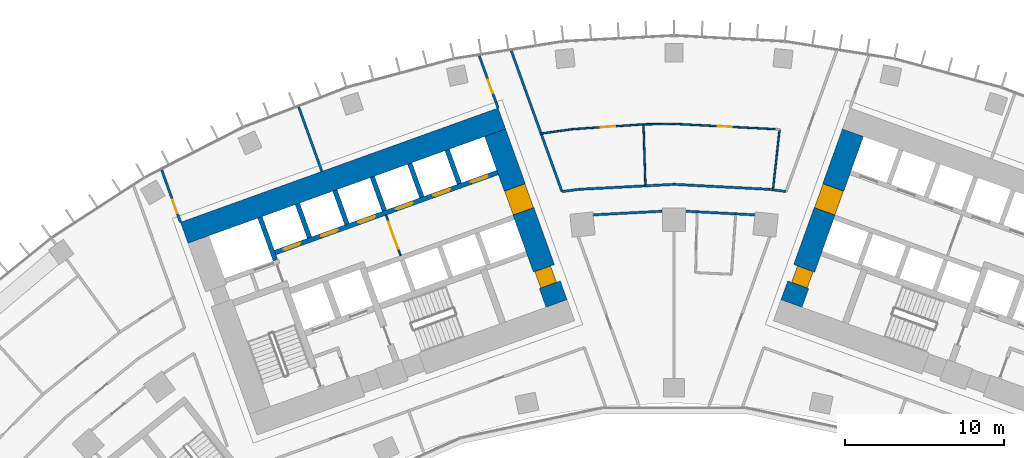
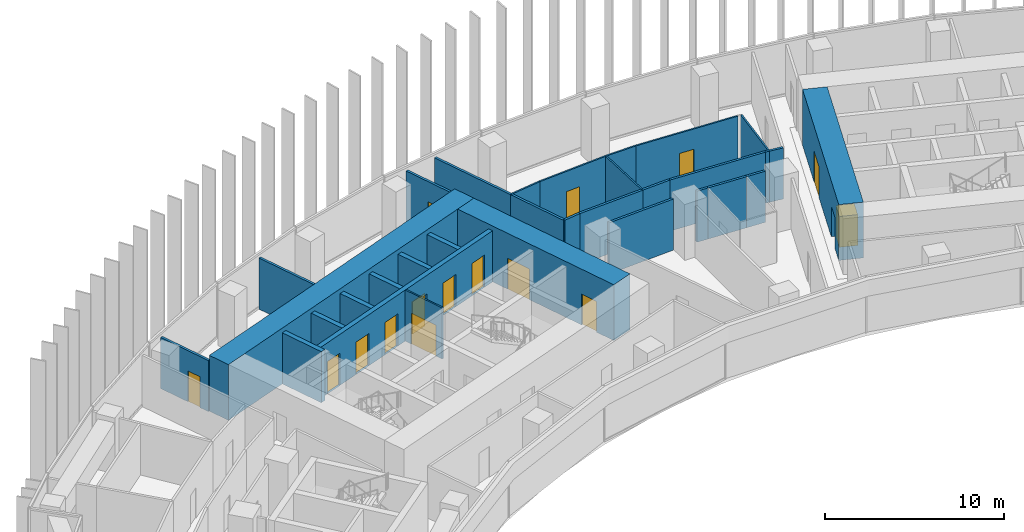
# One storey, part 18 of 23: 32 walls, 15 doors, 15 openings.
"""IFC4 building model written with IfcOpenShell, lengths in metres."""

from ifc_helpers import new_model, si_unit, direction, frame, frame_2d, origin, place, context, subcontext, project, spatial, rectangle, extrude, material, layer, layer_set, type_object, element, fill, save


model = new_model("IFC4")

# Units and contexts
model_context = context("Model", 3, precision=1e-05, world=origin(), true_north=direction((0.0, 1.0)))
body_context = subcontext(model_context, "Body", "Model", "MODEL_VIEW")
ifc_project = project(units=[si_unit("LENGTHUNIT", "METRE"), si_unit("AREAUNIT", "SQUARE_METRE"), si_unit("VOLUMEUNIT", "CUBIC_METRE"), si_unit("PLANEANGLEUNIT", "RADIAN"), si_unit("MASSUNIT", "GRAM", prefix="KILO")], contexts=[model_context])

# Site, building, storey
site_placement = place(None, origin())
site = spatial("IfcSite", under=ifc_project, at=site_placement, CompositionType="ELEMENT")
building_placement = place(site_placement, origin())
building = spatial("IfcBuilding", under=site, at=building_placement, Name="Stone Belt Terrace Tower", CompositionType="ELEMENT")
storey_placement = place(building_placement, frame((0.0, 0.0, 98.39990234375)))
storey = spatial("IfcBuildingStorey", under=building, at=storey_placement, Name="L23", CompositionType="ELEMENT", Elevation=98.39990234375)

# Wall, opening, door
ifc_material_1 = material(Name="Plasterboard partition")
ifc_layer_1 = layer(ifc_material_1, 0.10009765625)
ifc_layer_set_1 = layer_set([ifc_layer_1], Name="Core partition 100")
wall_type_1 = type_object("IfcWallType", Name="Core partition 100", PredefinedType="PARTITIONING", material=ifc_layer_set_1)
wall_1_placement = place(storey_placement, frame((-17.17724609375, 52.749755859375, 0.0), z_axis=(0.0, 0.0, 1.0), x_axis=(-0.338546555931, 0.940949642365, 0.0)))
wall_1 = element("IfcWall", 1, at=wall_1_placement, inside=storey, type_object=wall_type_1, Name="Core A wall", PredefinedType="PARTITIONING", context=body_context, shape_type="SweptSolid", body=[
    extrude(rectangle(XDim=2.699951171875, YDim=0.10009765625, at=frame_2d((1.35009765625, 0.0))), origin(), (0.0, 0.0, 1.0), 3.47998046875),
])
opening_1_placement = place(wall_1_placement, frame((0.449951171875, 0.0, 0.0)))
opening_1 = element("IfcOpeningElement", 2, at=opening_1_placement, cuts=wall_1, Name="Opening L23-C03", PredefinedType="OPENING", context=body_context, shape_type="SweptSolid", body=[
    extrude(rectangle(XDim=1.800048828125, YDim=2.10009765625, at=frame_2d((0.89990234375, 1.050048828125))), frame((0.0, 0.06005859375, 0.0), z_axis=(0.0, -1.0, 0.0), x_axis=(1.0, 0.0, 0.0)), (0.0, 0.0, 1.0), 0.1201171875),
])
ifc_material_2 = material(Name="Glazed aluminium door leaf", Category="aluminium")
door_type_1 = type_object("IfcDoorType", Name="Lift lobby entrance door 1800", OperationType="DOUBLE_DOOR_SINGLE_SWING", PredefinedType="DOOR", material=ifc_material_2)
door_1_placement = place(opening_1_placement, origin())
door_1 = element("IfcDoor", 3, at=door_1_placement, inside=storey, type_object=door_type_1, Name="Lift lobby double door core A", OperationType="DOUBLE_DOOR_SINGLE_SWING", OverallHeight=2.10009765625, OverallWidth=1.800048828125, PredefinedType="DOOR", context=body_context, shape_type="SweptSolid", body=[
    extrude(rectangle(XDim=1.800048828125, YDim=2.10009765625, at=frame_2d((0.89990234375, 1.050048828125))), frame((0.0, 0.02490234375, 0.0), z_axis=(0.0, -1.0, 0.0), x_axis=(1.0, 0.0, 0.0)), (0.0, 0.0, 1.0), 0.050048828125),
])
fill(opening_1, door_1)

# Wall
ifc_material_3 = material(Name="Concrete B80", Category="concrete")
ifc_layer_2 = layer(ifc_material_3, 1.39990234375)
ifc_layer_set_2 = layer_set([ifc_layer_2], Name="Core wall 1400 B80")
wall_type_2 = type_object("IfcWallType", Name="Core wall 1400 B80", PredefinedType="SHEAR", material=ifc_layer_set_2)
wall_2_placement = place(storey_placement, frame((-30.765380859375, 54.18310546875, 0.0), z_axis=(0.0, 0.0, 1.0), x_axis=(0.940919704758, 0.338629752382, 0.0)))
element("IfcWall", 4, at=wall_2_placement, inside=storey, type_object=wall_type_2, Name="Core A wall convex L23", PredefinedType="SHEAR", context=body_context, shape_type="SweptSolid", body=[
    extrude(rectangle(XDim=21.199951171875, YDim=1.39990234375, at=frame_2d((10.60009765625, 0.0))), origin(), (0.0, 0.0, 1.0), 3.800048828125),
])

# Wall, openings, doors
wall_3_placement = place(storey_placement, frame((-7.379150390625, 49.73974609375, 0.0), z_axis=(0.0, 0.0, 1.0), x_axis=(-0.338625431531, 0.940921259788, 0.0)))
wall_3 = element("IfcWall", 5, at=wall_3_placement, inside=storey, type_object=wall_type_2, Name="Core A wall end_b L23", PredefinedType="SHEAR", context=body_context, shape_type="SweptSolid", body=[
    extrude(rectangle(XDim=11.400146484375, YDim=1.39990234375, at=frame_2d((5.7001953125, 0.0))), origin(), (0.0, 0.0, 1.0), 3.800048828125),
])
opening_2_placement = place(wall_3_placement, frame((6.14990234375, 0.0, 0.0)))
opening_2 = element("IfcOpeningElement", 6, at=opening_2_placement, cuts=wall_3, Name="Opening L23-C04", PredefinedType="OPENING", context=body_context, shape_type="SweptSolid", body=[
    extrude(rectangle(XDim=1.60009765625, YDim=2.10009765625, at=frame_2d((0.800048828125, 1.050048828125))), frame((0.0, 0.7099609375, 0.0), z_axis=(0.0, -1.0, 0.0), x_axis=(1.0, 0.0, 0.0)), (0.0, 0.0, 1.0), 1.419921875),
])
opening_3_placement = place(wall_3_placement, frame((1.25, 0.0, 0.0)))
opening_3 = element("IfcOpeningElement", 7, at=opening_3_placement, cuts=wall_3, Name="Opening L23-C10", PredefinedType="OPENING", context=body_context, shape_type="SweptSolid", body=[
    extrude(rectangle(XDim=1.10009765625, YDim=2.10009765625, at=frame_2d((0.550048828125, 1.050048828125))), frame((0.0, 0.7099609375, 0.0), z_axis=(0.0, -1.0, 0.0), x_axis=(1.0, 0.0, 0.0)), (0.0, 0.0, 1.0), 1.419921875),
])
ifc_material_4 = material(Name="Timber door leaf", Category="wood")
door_type_2 = type_object("IfcDoorType", Name="Core room door 1100", OperationType="SINGLE_SWING_LEFT", PredefinedType="DOOR", material=ifc_material_4)
door_2_placement = place(opening_3_placement, origin())
door_2 = element("IfcDoor", 8, at=door_2_placement, inside=storey, type_object=door_type_2, Name="Door to Electrical riser room core A", OperationType="SINGLE_SWING_RIGHT", OverallHeight=2.10009765625, OverallWidth=1.10009765625, PredefinedType="DOOR", context=body_context, shape_type="SweptSolid", body=[
    extrude(rectangle(XDim=1.10009765625, YDim=2.10009765625, at=frame_2d((0.550048828125, 1.050048828125))), frame((0.0, 0.60498046875, 0.0), z_axis=(0.0, -1.0, 0.0), x_axis=(1.0, 0.0, 0.0)), (0.0, 0.0, 1.0), 1.050048828125),
])
fill(opening_3, door_2)
door_type_3 = type_object("IfcDoorType", Name="Lift lobby entrance door 1600", OperationType="DOUBLE_DOOR_SINGLE_SWING", PredefinedType="DOOR", material=ifc_material_2)
door_3_placement = place(opening_2_placement, origin())
door_3 = element("IfcDoor", 9, at=door_3_placement, inside=storey, type_object=door_type_3, Name="Lift lobby entrance door core A", OperationType="DOUBLE_DOOR_SINGLE_SWING", OverallHeight=2.10009765625, OverallWidth=1.60009765625, PredefinedType="DOOR", context=body_context, shape_type="SweptSolid", body=[
    extrude(rectangle(XDim=1.60009765625, YDim=2.10009765625, at=frame_2d((0.800048828125, 1.050048828125))), frame((0.0, 0.68017578125, 0.0), z_axis=(0.0, -1.0, 0.0), x_axis=(1.0, 0.0, 0.0)), (0.0, 0.0, 1.0), 1.360107421875),
])
fill(opening_2, door_3)

wall_4_placement = place(storey_placement, frame((7.379150390625, 49.73974609375, 0.0), z_axis=(0.0, 0.0, 1.0), x_axis=(0.338625431531, 0.940921259788, 0.0)))
wall_4 = element("IfcWall", 10, at=wall_4_placement, inside=storey, type_object=wall_type_2, Name="Core B wall end_a L23", PredefinedType="SHEAR", context=body_context, shape_type="SweptSolid", body=[
    extrude(rectangle(XDim=11.400146484375, YDim=1.39990234375, at=frame_2d((5.7001953125, 0.0))), origin(), (0.0, 0.0, 1.0), 3.800048828125),
])
opening_4_placement = place(wall_4_placement, frame((6.14990234375, 0.0, 0.0)))
opening_4 = element("IfcOpeningElement", 11, at=opening_4_placement, cuts=wall_4, Name="Opening L23-C14", PredefinedType="OPENING", context=body_context, shape_type="SweptSolid", body=[
    extrude(rectangle(XDim=1.60009765625, YDim=2.10009765625, at=frame_2d((0.800048828125, 1.050048828125))), frame((0.0, 0.7099609375, 0.0), z_axis=(0.0, -1.0, 0.0), x_axis=(1.0, 0.0, 0.0)), (0.0, 0.0, 1.0), 1.419921875),
])
opening_5_placement = place(wall_4_placement, frame((1.25, 0.0, 0.0)))
opening_5 = element("IfcOpeningElement", 12, at=opening_5_placement, cuts=wall_4, Name="Opening L23-C20", PredefinedType="OPENING", context=body_context, shape_type="SweptSolid", body=[
    extrude(rectangle(XDim=1.10009765625, YDim=2.10009765625, at=frame_2d((0.550048828125, 1.050048828125))), frame((0.0, 0.7099609375, 0.0), z_axis=(0.0, -1.0, 0.0), x_axis=(1.0, 0.0, 0.0)), (0.0, 0.0, 1.0), 1.419921875),
])
door_4_placement = place(opening_5_placement, origin())
door_4 = element("IfcDoor", 13, at=door_4_placement, inside=storey, type_object=door_type_2, Name="Door to Electrical riser room core B", OperationType="SINGLE_SWING_LEFT", OverallHeight=2.10009765625, OverallWidth=1.10009765625, PredefinedType="DOOR", context=body_context, shape_type="SweptSolid", body=[
    extrude(rectangle(XDim=1.10009765625, YDim=2.10009765625, at=frame_2d((0.550048828125, 1.050048828125))), frame((0.0, 0.44482421875, 0.0), z_axis=(0.0, -1.0, 0.0), x_axis=(1.0, 0.0, 0.0)), (0.0, 0.0, 1.0), 1.050048828125),
])
fill(opening_5, door_4)
door_5_placement = place(opening_4_placement, origin())
door_5 = element("IfcDoor", 14, at=door_5_placement, inside=storey, type_object=door_type_3, Name="Lift lobby entrance door core B", OperationType="DOUBLE_DOOR_SINGLE_SWING", OverallHeight=2.10009765625, OverallWidth=1.60009765625, PredefinedType="DOOR", context=body_context, shape_type="SweptSolid", body=[
    extrude(rectangle(XDim=1.60009765625, YDim=2.10009765625, at=frame_2d((0.800048828125, 1.050048828125))), frame((0.0, 0.68017578125, 0.0), z_axis=(0.0, -1.0, 0.0), x_axis=(1.0, 0.0, 0.0)), (0.0, 0.0, 1.0), 1.360107421875),
])
fill(opening_4, door_5)

# Wall
ifc_layer_3 = layer(ifc_material_3, 0.300048828125)
ifc_layer_set_3 = layer_set([ifc_layer_3], Name="Lift shaft wall 300")
wall_type_3 = type_object("IfcWallType", Name="Lift shaft wall 300", PredefinedType="SHEAR", material=ifc_layer_set_3)
wall_5_placement = place(storey_placement, frame((-25.046875, 52.46826171875, 0.0), z_axis=(0.0, 0.0, 1.0), x_axis=(-0.338549588058, 0.940948551423, 0.0)))
element("IfcWall", 15, at=wall_5_placement, inside=storey, type_object=wall_type_3, Name="Core A wall", PredefinedType="SHEAR", context=body_context, shape_type="SweptSolid", body=[
    extrude(rectangle(XDim=2.849853515625, YDim=0.300048828125, at=frame_2d((1.4248046875, 0.0))), origin(), (0.0, 0.0, 1.0), 3.47998046875),
])

# Wall, openings, doors
wall_6_placement = place(storey_placement, frame((-25.05810546875, 52.9423828125, 0.0), z_axis=(0.0, 0.0, 1.0), x_axis=(0.940918215764, 0.338633889685, 0.0)))
wall_6 = element("IfcWall", 16, at=wall_6_placement, inside=storey, type_object=wall_type_3, Name="Core A wall", PredefinedType="SHEAR", context=body_context, shape_type="SweptSolid", body=[
    extrude(rectangle(XDim=14.850341796875, YDim=0.300048828125, at=frame_2d((7.42529296875, 0.0))), origin(), (0.0, 0.0, 1.0), 3.47998046875),
])
opening_6_placement = place(wall_6_placement, frame((0.570068359375, 0.0, 0.0)))
opening_6 = element("IfcOpeningElement", 17, at=opening_6_placement, cuts=wall_6, Name="Opening L23-LD01", PredefinedType="OPENING", context=body_context, shape_type="SweptSolid", body=[
    extrude(rectangle(XDim=1.10009765625, YDim=2.199951171875, at=frame_2d((0.550048828125, 1.10009765625))), frame((0.0, 0.159912109375, 0.0), z_axis=(0.0, -1.0, 0.0), x_axis=(1.0, 0.0, 0.0)), (0.0, 0.0, 1.0), 0.320068359375),
])
opening_7_placement = place(wall_6_placement, frame((3.070068359375, 0.0, 0.0)))
opening_7 = element("IfcOpeningElement", 18, at=opening_7_placement, cuts=wall_6, Name="Opening L23-LD02", PredefinedType="OPENING", context=body_context, shape_type="SweptSolid", body=[
    extrude(rectangle(XDim=1.10009765625, YDim=2.199951171875, at=frame_2d((0.550048828125, 1.10009765625))), frame((0.0, 0.159912109375, 0.0), z_axis=(0.0, -1.0, 0.0), x_axis=(1.0, 0.0, 0.0)), (0.0, 0.0, 1.0), 0.320068359375),
])
opening_8_placement = place(wall_6_placement, frame((5.570068359375, 0.0, 0.0)))
opening_8 = element("IfcOpeningElement", 19, at=opening_8_placement, cuts=wall_6, Name="Opening L23-LD03", PredefinedType="OPENING", context=body_context, shape_type="SweptSolid", body=[
    extrude(rectangle(XDim=1.10009765625, YDim=2.199951171875, at=frame_2d((0.550048828125, 1.10009765625))), frame((0.0, 0.159912109375, 0.0), z_axis=(0.0, -1.0, 0.0), x_axis=(1.0, 0.0, 0.0)), (0.0, 0.0, 1.0), 0.320068359375),
])
opening_9_placement = place(wall_6_placement, frame((8.070068359375, 0.0, 0.0)))
opening_9 = element("IfcOpeningElement", 20, at=opening_9_placement, cuts=wall_6, Name="Opening L23-LD04", PredefinedType="OPENING", context=body_context, shape_type="SweptSolid", body=[
    extrude(rectangle(XDim=1.10009765625, YDim=2.199951171875, at=frame_2d((0.550048828125, 1.10009765625))), frame((0.0, 0.159912109375, 0.0), z_axis=(0.0, -1.0, 0.0), x_axis=(1.0, 0.0, 0.0)), (0.0, 0.0, 1.0), 0.320068359375),
])
opening_10_placement = place(wall_6_placement, frame((10.570068359375, 0.0, 0.0)))
opening_10 = element("IfcOpeningElement", 21, at=opening_10_placement, cuts=wall_6, Name="Opening L23-LD05", PredefinedType="OPENING", context=body_context, shape_type="SweptSolid", body=[
    extrude(rectangle(XDim=1.10009765625, YDim=2.199951171875, at=frame_2d((0.550048828125, 1.10009765625))), frame((0.0, 0.159912109375, 0.0), z_axis=(0.0, -1.0, 0.0), x_axis=(1.0, 0.0, 0.0)), (0.0, 0.0, 1.0), 0.320068359375),
])
opening_11_placement = place(wall_6_placement, frame((13.070068359375, 0.0, 0.0)))
opening_11 = element("IfcOpeningElement", 22, at=opening_11_placement, cuts=wall_6, Name="Opening L23-LD06", PredefinedType="OPENING", context=body_context, shape_type="SweptSolid", body=[
    extrude(rectangle(XDim=1.10009765625, YDim=2.199951171875, at=frame_2d((0.550048828125, 1.10009765625))), frame((0.0, 0.159912109375, 0.0), z_axis=(0.0, -1.0, 0.0), x_axis=(1.0, 0.0, 0.0)), (0.0, 0.0, 1.0), 0.320068359375),
])
ifc_material_5 = material(Name="Stainless steel door leaf", Category="steel")
door_type_4 = type_object("IfcDoorType", Name="Landing door 1100", OperationType="SLIDING_TO_LEFT", PredefinedType="DOOR", material=ifc_material_5)
door_6_placement = place(opening_6_placement, origin())
door_6 = element("IfcDoor", 23, at=door_6_placement, inside=storey, type_object=door_type_4, Name="Landing door LR1 core A", OperationType="SLIDING_TO_LEFT", OverallHeight=2.199951171875, OverallWidth=1.10009765625, PredefinedType="DOOR", context=body_context, shape_type="SweptSolid", body=[
    extrude(rectangle(XDim=1.10009765625, YDim=2.199951171875, at=frame_2d((0.550048828125, 1.10009765625))), frame((0.0, 0.02490234375, 0.0), z_axis=(0.0, -1.0, 0.0), x_axis=(1.0, 0.0, 0.0)), (0.0, 0.0, 1.0), 0.050048828125),
])
fill(opening_6, door_6)
door_7_placement = place(opening_7_placement, origin())
door_7 = element("IfcDoor", 24, at=door_7_placement, inside=storey, type_object=door_type_4, Name="Landing door LR2 core A", OperationType="SLIDING_TO_LEFT", OverallHeight=2.199951171875, OverallWidth=1.10009765625, PredefinedType="DOOR", context=body_context, shape_type="SweptSolid", body=[
    extrude(rectangle(XDim=1.10009765625, YDim=2.199951171875, at=frame_2d((0.550048828125, 1.10009765625))), frame((0.0, 0.02490234375, 0.0), z_axis=(0.0, -1.0, 0.0), x_axis=(1.0, 0.0, 0.0)), (0.0, 0.0, 1.0), 0.050048828125),
])
fill(opening_7, door_7)
door_8_placement = place(opening_8_placement, origin())
door_8 = element("IfcDoor", 25, at=door_8_placement, inside=storey, type_object=door_type_4, Name="Landing door LR3 core A", OperationType="SLIDING_TO_LEFT", OverallHeight=2.199951171875, OverallWidth=1.10009765625, PredefinedType="DOOR", context=body_context, shape_type="SweptSolid", body=[
    extrude(rectangle(XDim=1.10009765625, YDim=2.199951171875, at=frame_2d((0.550048828125, 1.10009765625))), frame((0.0, 0.02490234375, 0.0), z_axis=(0.0, -1.0, 0.0), x_axis=(1.0, 0.0, 0.0)), (0.0, 0.0, 1.0), 0.050048828125),
])
fill(opening_8, door_8)
door_9_placement = place(opening_9_placement, origin())
door_9 = element("IfcDoor", 26, at=door_9_placement, inside=storey, type_object=door_type_4, Name="Landing door LR4 core A", OperationType="SLIDING_TO_LEFT", OverallHeight=2.199951171875, OverallWidth=1.10009765625, PredefinedType="DOOR", context=body_context, shape_type="SweptSolid", body=[
    extrude(rectangle(XDim=1.10009765625, YDim=2.199951171875, at=frame_2d((0.550048828125, 1.10009765625))), frame((0.0, 0.02490234375, 0.0), z_axis=(0.0, -1.0, 0.0), x_axis=(1.0, 0.0, 0.0)), (0.0, 0.0, 1.0), 0.050048828125),
])
fill(opening_9, door_9)
door_10_placement = place(opening_10_placement, origin())
door_10 = element("IfcDoor", 27, at=door_10_placement, inside=storey, type_object=door_type_4, Name="Landing door LR5 core A", OperationType="SLIDING_TO_LEFT", OverallHeight=2.199951171875, OverallWidth=1.10009765625, PredefinedType="DOOR", context=body_context, shape_type="SweptSolid", body=[
    extrude(rectangle(XDim=1.10009765625, YDim=2.199951171875, at=frame_2d((0.550048828125, 1.10009765625))), frame((0.0, 0.02490234375, 0.0), z_axis=(0.0, -1.0, 0.0), x_axis=(1.0, 0.0, 0.0)), (0.0, 0.0, 1.0), 0.050048828125),
])
fill(opening_10, door_10)
door_11_placement = place(opening_11_placement, origin())
door_11 = element("IfcDoor", 28, at=door_11_placement, inside=storey, type_object=door_type_4, Name="Landing door LR6 core A", OperationType="SLIDING_TO_LEFT", OverallHeight=2.199951171875, OverallWidth=1.10009765625, PredefinedType="DOOR", context=body_context, shape_type="SweptSolid", body=[
    extrude(rectangle(XDim=1.10009765625, YDim=2.199951171875, at=frame_2d((0.550048828125, 1.10009765625))), frame((0.0, 0.02490234375, 0.0), z_axis=(0.0, -1.0, 0.0), x_axis=(1.0, 0.0, 0.0)), (0.0, 0.0, 1.0), 0.050048828125),
])
fill(opening_11, door_11)

# Walls
wall_7_placement = place(storey_placement, frame((-22.897705078125, 53.87939453125, 0.0), z_axis=(0.0, 0.0, 1.0), x_axis=(-0.338535034312, 0.940953787677, 0.0)))
element("IfcWall", 29, at=wall_7_placement, inside=storey, type_object=wall_type_3, Name="Core A wall", PredefinedType="SHEAR", context=body_context, shape_type="SweptSolid", body=[
    extrude(rectangle(XDim=2.25, YDim=0.300048828125, at=frame_2d((1.125, 0.0))), origin(), (0.0, 0.0, 1.0), 3.47998046875),
])
wall_8_placement = place(storey_placement, frame((-20.54541015625, 54.72607421875, 0.0), z_axis=(0.0, 0.0, 1.0), x_axis=(-0.338569601369, 0.940941350472, 0.0)))
element("IfcWall", 30, at=wall_8_placement, inside=storey, type_object=wall_type_3, Name="Core A wall", PredefinedType="SHEAR", context=body_context, shape_type="SweptSolid", body=[
    extrude(rectangle(XDim=2.249755859375, YDim=0.300048828125, at=frame_2d((1.125, 0.0))), origin(), (0.0, 0.0, 1.0), 3.47998046875),
])
wall_9_placement = place(storey_placement, frame((-18.193115234375, 55.572509765625, 0.0), z_axis=(0.0, 0.0, 1.0), x_axis=(-0.338535034312, 0.940953787677, 0.0)))
element("IfcWall", 31, at=wall_9_placement, inside=storey, type_object=wall_type_3, Name="Core A wall", PredefinedType="SHEAR", context=body_context, shape_type="SweptSolid", body=[
    extrude(rectangle(XDim=2.25, YDim=0.300048828125, at=frame_2d((1.125, 0.0))), origin(), (0.0, 0.0, 1.0), 3.47998046875),
])
wall_10_placement = place(storey_placement, frame((-15.8408203125, 56.419189453125, 0.0), z_axis=(0.0, 0.0, 1.0), x_axis=(-0.338569601369, 0.940941350472, 0.0)))
element("IfcWall", 32, at=wall_10_placement, inside=storey, type_object=wall_type_3, Name="Core A wall", PredefinedType="SHEAR", context=body_context, shape_type="SweptSolid", body=[
    extrude(rectangle(XDim=2.249755859375, YDim=0.300048828125, at=frame_2d((1.125, 0.0))), origin(), (0.0, 0.0, 1.0), 3.47998046875),
])
wall_11_placement = place(storey_placement, frame((-13.48828125, 57.265625, 0.0), z_axis=(0.0, 0.0, 1.0), x_axis=(-0.338631098537, 0.940919220286, 0.0)))
element("IfcWall", 33, at=wall_11_placement, inside=storey, type_object=wall_type_3, Name="Core A wall", PredefinedType="SHEAR", context=body_context, shape_type="SweptSolid", body=[
    extrude(rectangle(XDim=2.250244140625, YDim=0.300048828125, at=frame_2d((1.125, 0.0))), origin(), (0.0, 0.0, 1.0), 3.47998046875),
])

# Wall, opening, door
ifc_material_6 = material(Name="Gypsum board partition")
ifc_layer_4 = layer(ifc_material_6, 0.10009765625)
ifc_layer_set_4 = layer_set([ifc_layer_4], Name="PARTITION 100")
wall_type_4 = type_object("IfcWallType", Name="PARTITION 100", PredefinedType="PARTITIONING", material=ifc_layer_set_4)
wall_12_placement = place(storey_placement, frame((-1.9189453125, 60.9951171875, 0.0), z_axis=(0.0, 0.0, 1.0), x_axis=(-0.997682007636, -0.068048597631, 0.0)))
wall_12 = element("IfcWall", 34, at=wall_12_placement, inside=storey, type_object=wall_type_4, Name="L23/wall/i093", PredefinedType="PARTITIONING", context=body_context, shape_type="SweptSolid", body=[
    extrude(rectangle(XDim=4.47021484375, YDim=0.10009765625, at=frame_2d((2.235107421875, 0.0))), origin(), (0.0, 0.0, 1.0), 3.47998046875),
])
opening_12_placement = place(wall_12_placement, frame((1.78515625, 0.0, 0.0)))
opening_12 = element("IfcOpeningElement", 35, at=opening_12_placement, cuts=wall_12, Name="Opening D-B2-30", PredefinedType="OPENING", context=body_context, shape_type="SweptSolid", body=[
    extrude(rectangle(XDim=0.89990234375, YDim=2.10009765625, at=frame_2d((0.449951171875, 1.050048828125))), frame((0.0, 0.06005859375, 0.0), z_axis=(0.0, -1.0, 0.0), x_axis=(1.0, 0.0, 0.0)), (0.0, 0.0, 1.0), 0.1201171875),
])
door_type_5 = type_object("IfcDoorType", Name="OFFICE DOOR 900 X 2100", OperationType="NOTDEFINED", PredefinedType="DOOR", material=ifc_material_4)
door_12_placement = place(opening_12_placement, origin())
door_12 = element("IfcDoor", 36, at=door_12_placement, inside=storey, type_object=door_type_5, Name="L23/door/i30", OperationType="SINGLE_SWING_RIGHT", OverallHeight=2.10009765625, OverallWidth=0.89990234375, PredefinedType="DOOR", context=body_context, shape_type="SweptSolid", body=[
    extrude(rectangle(XDim=0.89990234375, YDim=2.10009765625, at=frame_2d((0.449951171875, 1.050048828125))), frame((0.0, 0.02490234375, 0.0), z_axis=(0.0, -1.0, 0.0), x_axis=(1.0, 0.0, 0.0)), (0.0, 0.0, 1.0), 0.050048828125),
])
fill(opening_12, door_12)

# Walls
wall_13_placement = place(storey_placement, frame((-6.37890625, 60.69091796875, 0.0), z_axis=(0.0, 0.0, 1.0), x_axis=(-0.990433739202, -0.137989159904, 0.0)))
element("IfcWall", 37, at=wall_13_placement, inside=storey, type_object=wall_type_4, Name="L23/wall/i094", PredefinedType="PARTITIONING", context=body_context, shape_type="SweptSolid", body=[
    extrude(rectangle(XDim=1.9921875, YDim=0.10009765625, at=frame_2d((0.99609375, 0.0))), origin(), (0.0, 0.0, 1.0), 3.47998046875),
])
wall_14_placement = place(storey_placement, frame((6.216064453125, 56.881103515625, 0.0), z_axis=(0.0, 0.0, 1.0), x_axis=(0.108487856499, 0.994097774362, 0.0)))
element("IfcWall", 38, at=wall_14_placement, inside=storey, type_object=wall_type_4, Name="L23/wall/i095", PredefinedType="PARTITIONING", context=body_context, shape_type="SweptSolid", body=[
    extrude(rectangle(XDim=3.805419921875, YDim=0.10009765625, at=frame_2d((1.90283203125, 0.0))), origin(), (0.0, 0.0, 1.0), 3.47998046875),
])

# Wall, opening, door
wall_15_placement = place(storey_placement, frame((6.37890625, 60.69091796875, 0.0), z_axis=(0.0, 0.0, 1.0), x_axis=(-0.998632151247, 0.052286006694, 0.0)))
wall_15 = element("IfcWall", 39, at=wall_15_placement, inside=storey, type_object=wall_type_4, Name="L23/wall/i097", PredefinedType="PARTITIONING", context=body_context, shape_type="SweptSolid", body=[
    extrude(rectangle(XDim=6.3876953125, YDim=0.10009765625, at=frame_2d((3.19384765625, 0.0))), origin(), (0.0, 0.0, 1.0), 3.47998046875),
])
opening_13_placement = place(wall_15_placement, frame((2.743896484375, 0.0, 0.0)))
opening_13 = element("IfcOpeningElement", 40, at=opening_13_placement, cuts=wall_15, Name="Opening D-B2-31", PredefinedType="OPENING", context=body_context, shape_type="SweptSolid", body=[
    extrude(rectangle(XDim=0.89990234375, YDim=2.10009765625, at=frame_2d((0.449951171875, 1.050048828125))), frame((0.0, 0.06005859375, 0.0), z_axis=(0.0, -1.0, 0.0), x_axis=(1.0, 0.0, 0.0)), (0.0, 0.0, 1.0), 0.1201171875),
])
door_13_placement = place(opening_13_placement, origin())
door_13 = element("IfcDoor", 41, at=door_13_placement, inside=storey, type_object=door_type_5, Name="L23/door/i31", OperationType="SINGLE_SWING_RIGHT", OverallHeight=2.10009765625, OverallWidth=0.89990234375, PredefinedType="DOOR", context=body_context, shape_type="SweptSolid", body=[
    extrude(rectangle(XDim=0.89990234375, YDim=2.10009765625, at=frame_2d((0.449951171875, 1.050048828125))), frame((0.0, 0.02490234375, 0.0), z_axis=(0.0, -1.0, 0.0), x_axis=(1.0, 0.0, 0.0)), (0.0, 0.0, 1.0), 0.050048828125),
])
fill(opening_13, door_13)

# Walls
wall_16_placement = place(storey_placement, frame((0.0, 61.02490234375, 0.0), z_axis=(0.0, 0.0, 1.0), x_axis=(-0.999879561286, -0.015519759094, 0.0)))
element("IfcWall", 42, at=wall_16_placement, inside=storey, type_object=wall_type_4, Name="L23/wall/i098", PredefinedType="PARTITIONING", context=body_context, shape_type="SweptSolid", body=[
    extrude(rectangle(XDim=1.919189453125, YDim=0.10009765625, at=frame_2d((0.95947265625, 0.0))), origin(), (0.0, 0.0, 1.0), 3.47998046875),
])
wall_17_placement = place(storey_placement, frame((-1.9189453125, 60.9951171875, 0.0), z_axis=(0.0, 0.0, 1.0), x_axis=(0.03151274226, -0.999503350207, 0.0)))
element("IfcWall", 43, at=wall_17_placement, inside=storey, type_object=wall_type_4, Name="L23/wall/i099", PredefinedType="PARTITIONING", context=body_context, shape_type="SweptSolid", body=[
    extrude(rectangle(XDim=3.865966796875, YDim=0.10009765625, at=frame_2d((1.93310546875, 0.0))), origin(), (0.0, 0.0, 1.0), 3.47998046875),
])

# Wall, opening, door
ifc_layer_5 = layer(ifc_material_6, 0.14990234375)
ifc_layer_set_5 = layer_set([ifc_layer_5], Name="PARTITION 150 EI 60")
wall_type_5 = type_object("IfcWallType", Name="PARTITION 150 EI 60", PredefinedType="PARTITIONING", material=ifc_layer_set_5)
wall_18_placement = place(storey_placement, frame((-32.185791015625, 58.131103515625, 0.0), z_axis=(0.0, 0.0, 1.0), x_axis=(0.338662585219, -0.940907887826, 0.0)))
wall_18 = element("IfcWall", 44, at=wall_18_placement, inside=storey, type_object=wall_type_5, Name="L23/wall/i002", PredefinedType="PARTITIONING", context=body_context, shape_type="SweptSolid", body=[
    extrude(rectangle(XDim=3.49560546875, YDim=0.14990234375, at=frame_2d((1.747802734375, 0.0))), origin(), (0.0, 0.0, 1.0), 3.47998046875),
])
opening_14_placement = place(wall_18_placement, frame((1.996337890625, 0.0, 0.0)))
opening_14 = element("IfcOpeningElement", 45, at=opening_14_placement, cuts=wall_18, Name="Opening D-B2-03", PredefinedType="OPENING", context=body_context, shape_type="SweptSolid", body=[
    extrude(rectangle(XDim=0.89990234375, YDim=2.10009765625, at=frame_2d((0.449951171875, 1.050048828125))), frame((0.0, 0.0849609375, 0.0), z_axis=(0.0, -1.0, 0.0), x_axis=(1.0, 0.0, 0.0)), (0.0, 0.0, 1.0), 0.169921875),
])
door_14_placement = place(opening_14_placement, origin())
door_14 = element("IfcDoor", 46, at=door_14_placement, inside=storey, type_object=door_type_5, Name="L23/door/i03", OperationType="SINGLE_SWING_RIGHT", OverallHeight=2.10009765625, OverallWidth=0.89990234375, PredefinedType="DOOR", context=body_context, shape_type="SweptSolid", body=[
    extrude(rectangle(XDim=0.89990234375, YDim=2.10009765625, at=frame_2d((0.449951171875, 1.050048828125))), frame((0.0, 0.02490234375, 0.0), z_axis=(0.0, -1.0, 0.0), x_axis=(1.0, 0.0, 0.0)), (0.0, 0.0, 1.0), 0.050048828125),
])
fill(opening_14, door_14)

wall_19_placement = place(storey_placement, frame((-11.054931640625, 62.02099609375, 0.0), z_axis=(0.0, 0.0, 1.0), x_axis=(-0.338853532575, 0.94083913793, 0.0)))
wall_19 = element("IfcWall", 47, at=wall_19_placement, inside=storey, type_object=wall_type_5, Name="L23/wall/i008", PredefinedType="PARTITIONING", context=body_context, shape_type="SweptSolid", body=[
    extrude(rectangle(XDim=3.482177734375, YDim=0.14990234375, at=frame_2d((1.7412109375, 0.0))), origin(), (0.0, 0.0, 1.0), 3.47998046875),
])
opening_15_placement = place(wall_19_placement, frame((0.99365234375, 0.0, 0.0)))
opening_15 = element("IfcOpeningElement", 48, at=opening_15_placement, cuts=wall_19, Name="Opening D-B2-04", PredefinedType="OPENING", context=body_context, shape_type="SweptSolid", body=[
    extrude(rectangle(XDim=0.89990234375, YDim=2.10009765625, at=frame_2d((0.449951171875, 1.050048828125))), frame((0.0, 0.0849609375, 0.0), z_axis=(0.0, -1.0, 0.0), x_axis=(1.0, 0.0, 0.0)), (0.0, 0.0, 1.0), 0.169921875),
])
door_15_placement = place(opening_15_placement, origin())
door_15 = element("IfcDoor", 49, at=door_15_placement, inside=storey, type_object=door_type_5, Name="L23/door/i04", OperationType="SINGLE_SWING_LEFT", OverallHeight=2.10009765625, OverallWidth=0.89990234375, PredefinedType="DOOR", context=body_context, shape_type="SweptSolid", body=[
    extrude(rectangle(XDim=0.89990234375, YDim=2.10009765625, at=frame_2d((0.449951171875, 1.050048828125))), frame((0.0, 0.02490234375, 0.0), z_axis=(0.0, -1.0, 0.0), x_axis=(1.0, 0.0, 0.0)), (0.0, 0.0, 1.0), 0.050048828125),
])
fill(opening_15, door_15)

# Walls
wall_20_placement = place(storey_placement, frame((-10.223876953125, 65.6162109375, 0.0), z_axis=(0.0, 0.0, 1.0), x_axis=(0.338641346264, -0.940915532128, 0.0)))
element("IfcWall", 50, at=wall_20_placement, inside=storey, type_object=wall_type_5, Name="L23/wall/i010", PredefinedType="PARTITIONING", context=body_context, shape_type="SweptSolid", body=[
    extrude(rectangle(XDim=5.533203125, YDim=0.14990234375, at=frame_2d((2.7666015625, 0.0))), origin(), (0.0, 0.0, 1.0), 3.47998046875),
])
wall_21_placement = place(storey_placement, frame((-8.35400390625, 60.422119140625, 0.0), z_axis=(0.0, 0.0, 1.0), x_axis=(0.338521378742, -0.940958700547, 0.0)))
element("IfcWall", 51, at=wall_21_placement, inside=storey, type_object=wall_type_5, Name="L23/wall/i011", PredefinedType="PARTITIONING", context=body_context, shape_type="SweptSolid", body=[
    extrude(rectangle(XDim=3.88427734375, YDim=0.14990234375, at=frame_2d((1.942138671875, 0.0))), origin(), (0.0, 0.0, 1.0), 3.47998046875),
])
wall_22_placement = place(storey_placement, frame((-23.578857421875, 62.08203125, 0.0), z_axis=(0.0, 0.0, 1.0), x_axis=(0.338717456827, -0.940888135987, 0.0)))
element("IfcWall", 52, at=wall_22_placement, inside=storey, type_object=wall_type_5, Name="L23/wall/i015", PredefinedType="PARTITIONING", context=body_context, shape_type="SweptSolid", body=[
    extrude(rectangle(XDim=4.298095703125, YDim=0.14990234375, at=frame_2d((2.14892578125, 0.0))), origin(), (0.0, 0.0, 1.0), 3.47998046875),
])
wall_23_placement = place(storey_placement, frame((-0.7548828125, 55.535400390625, 0.0), z_axis=(0.0, 0.0, 1.0), x_axis=(-0.998635163173, -0.052228448909, 0.0)))
element("IfcWall", 53, at=wall_23_placement, inside=storey, type_object=wall_type_5, Name="L23/wall/i079", PredefinedType="PARTITIONING", context=body_context, shape_type="SweptSolid", body=[
    extrude(rectangle(XDim=4.30517578125, YDim=0.14990234375, at=frame_2d((2.152587890625, 0.0))), origin(), (0.0, 0.0, 1.0), 3.47998046875),
])
wall_24_placement = place(storey_placement, frame((1.4599609375, 55.4990234375, 0.0), z_axis=(0.0, 0.0, 1.0), x_axis=(-0.998653890023, 0.051869142487, 0.0)))
element("IfcWall", 54, at=wall_24_placement, inside=storey, type_object=wall_type_5, Name="L23/wall/i080", PredefinedType="PARTITIONING", context=body_context, shape_type="SweptSolid", body=[
    extrude(rectangle(XDim=0.7060546875, YDim=0.14990234375, at=frame_2d((0.35302734375, 0.0))), origin(), (0.0, 0.0, 1.0), 3.47998046875),
])
wall_25_placement = place(storey_placement, frame((5.05419921875, 55.310302734375, 0.0), z_axis=(0.0, 0.0, 1.0), x_axis=(-0.998644969233, 0.052040613227, 0.0)))
element("IfcWall", 55, at=wall_25_placement, inside=storey, type_object=wall_type_5, Name="L23/wall/i081", PredefinedType="PARTITIONING", context=body_context, shape_type="SweptSolid", body=[
    extrude(rectangle(XDim=1.18701171875, YDim=0.14990234375, at=frame_2d((0.593505859375, 0.0))), origin(), (0.0, 0.0, 1.0), 3.47998046875),
])
wall_26_placement = place(storey_placement, frame((3.881103515625, 55.3720703125, 0.0), z_axis=(0.0, 0.0, 1.0), x_axis=(-0.998641532473, 0.052106521863, 0.0)))
element("IfcWall", 56, at=wall_26_placement, inside=storey, type_object=wall_type_5, Name="L23/wall/i082", PredefinedType="PARTITIONING", context=body_context, shape_type="SweptSolid", body=[
    extrude(rectangle(XDim=2.4365234375, YDim=0.14990234375, at=frame_2d((1.21826171875, 0.0))), origin(), (0.0, 0.0, 1.0), 3.47998046875),
])
wall_27_placement = place(storey_placement, frame((6.2099609375, 56.882080078125, 0.0), z_axis=(0.0, 0.0, 1.0), x_axis=(0.991487969829, -0.130198332113, 0.0)))
element("IfcWall", 57, at=wall_27_placement, inside=storey, type_object=wall_type_5, Name="L23/wall/i083", PredefinedType="PARTITIONING", context=body_context, shape_type="SweptSolid", body=[
    extrude(rectangle(XDim=0.838134765625, YDim=0.14990234375, at=frame_2d((0.4189453125, 0.0))), origin(), (0.0, 0.0, 1.0), 3.47998046875),
])
wall_28_placement = place(storey_placement, frame((-7.041015625, 56.77294921875, 0.0), z_axis=(0.0, 0.0, 1.0), x_axis=(0.991477617634, 0.130277142013, 0.0)))
element("IfcWall", 58, at=wall_28_placement, inside=storey, type_object=wall_type_5, Name="L23/wall/i084", PredefinedType="PARTITIONING", context=body_context, shape_type="SweptSolid", body=[
    extrude(rectangle(XDim=1.068115234375, YDim=0.14990234375, at=frame_2d((0.5341796875, 0.0))), origin(), (0.0, 0.0, 1.0), 3.47998046875),
])
wall_29_placement = place(storey_placement, frame((-5.98193359375, 56.912109375, 0.0), z_axis=(0.0, 0.0, 1.0), x_axis=(0.998637525461, 0.052183261117, 0.0)))
element("IfcWall", 59, at=wall_29_placement, inside=storey, type_object=wall_type_5, Name="L23/wall/i085", PredefinedType="PARTITIONING", context=body_context, shape_type="SweptSolid", body=[
    extrude(rectangle(XDim=4.196533203125, YDim=0.14990234375, at=frame_2d((2.09814453125, 0.0))), origin(), (0.0, 0.0, 1.0), 3.47998046875),
])
wall_30_placement = place(storey_placement, frame((-1.802978515625, 57.131103515625, 0.0), z_axis=(0.0, 0.0, 1.0), x_axis=(0.998643854414, 0.052062001889, 0.0)))
element("IfcWall", 60, at=wall_30_placement, inside=storey, type_object=wall_type_5, Name="L23/wall/i086", PredefinedType="PARTITIONING", context=body_context, shape_type="SweptSolid", body=[
    extrude(rectangle(XDim=1.805419921875, YDim=0.14990234375, at=frame_2d((0.90283203125, 0.0))), origin(), (0.0, 0.0, 1.0), 3.47998046875),
])
wall_31_placement = place(storey_placement, frame((0.0, 57.22509765625, 0.0), z_axis=(0.0, 0.0, 1.0), x_axis=(0.998633994648, -0.052250786921, 0.0)))
element("IfcWall", 61, at=wall_31_placement, inside=storey, type_object=wall_type_5, Name="L23/wall/i087", PredefinedType="PARTITIONING", context=body_context, shape_type="SweptSolid", body=[
    extrude(rectangle(XDim=5.990234375, YDim=0.14990234375, at=frame_2d((2.9951171875, 0.0))), origin(), (0.0, 0.0, 1.0), 3.47998046875),
])
wall_32_placement = place(storey_placement, frame((5.98193359375, 56.912109375, 0.0), z_axis=(0.0, 0.0, 1.0), x_axis=(0.991104190681, -0.133088253479, 0.0)))
element("IfcWall", 62, at=wall_32_placement, inside=storey, type_object=wall_type_5, Name="L23/wall/i088", PredefinedType="PARTITIONING", context=body_context, shape_type="SweptSolid", body=[
    extrude(rectangle(XDim=0.2421875, YDim=0.14990234375, at=frame_2d((0.12109375, 0.0))), origin(), (0.0, 0.0, 1.0), 3.47998046875),
])

save(model, "model.ifc")
